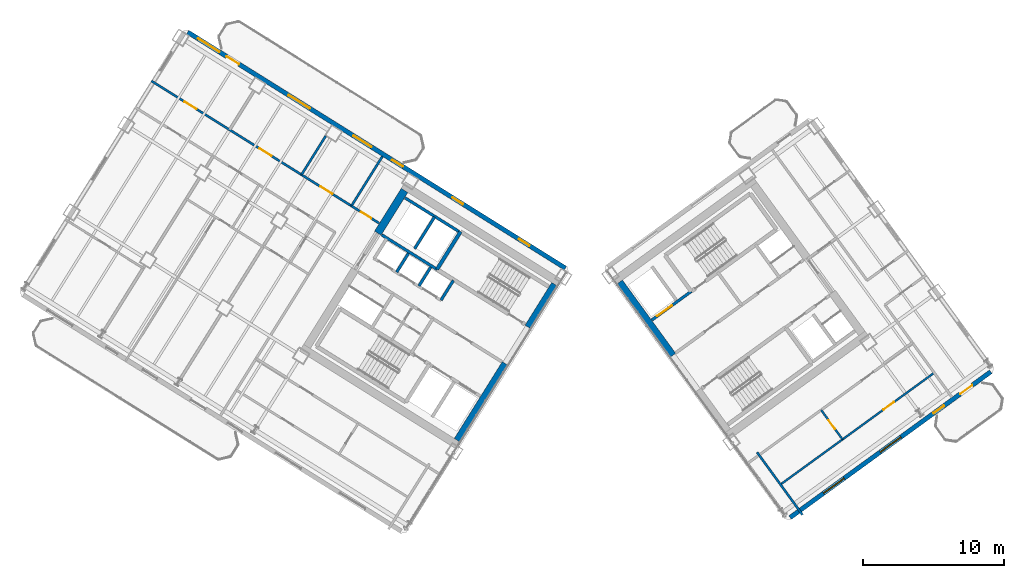
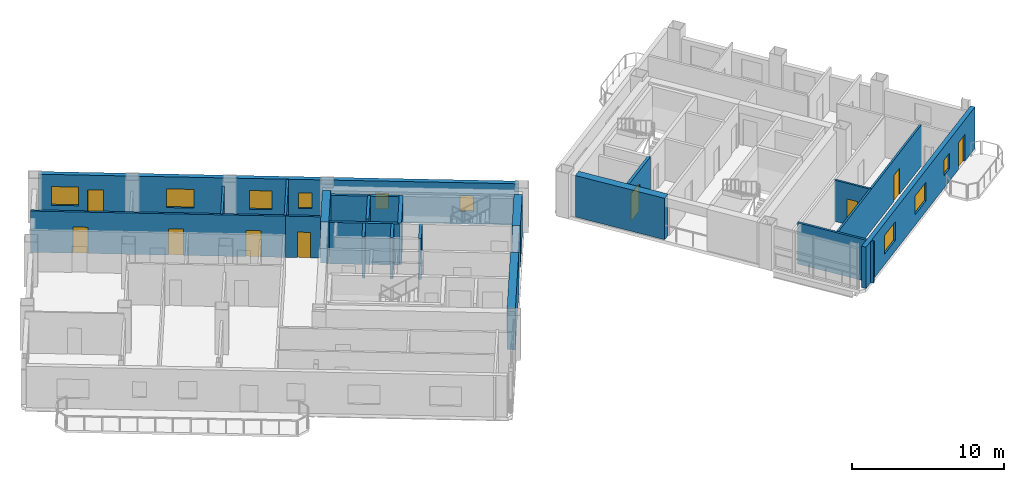
# One storey, part 12 of 18: 21 walls, 9 doors, 9 windows, 18 openings.
"""IFC4 building model written with IfcOpenShell, lengths in metres."""

from ifc_helpers import new_model, si_unit, direction, frame, frame_2d, origin, place, context, subcontext, project, spatial, rectangle, extrude, source, transform, mapped, material, layer, layer_set, type_object, element, fill, save


model = new_model("IFC4")

# Units and contexts
model_context = context("Model", 3, precision=1e-05, world=origin(), true_north=direction((0.0, 1.0)))
body_context = subcontext(model_context, "Body", "Model", "MODEL_VIEW")
ifc_project = project(units=[si_unit("LENGTHUNIT", "METRE"), si_unit("AREAUNIT", "SQUARE_METRE"), si_unit("VOLUMEUNIT", "CUBIC_METRE"), si_unit("PLANEANGLEUNIT", "RADIAN"), si_unit("MASSUNIT", "GRAM", prefix="KILO")], contexts=[model_context])

# Site, building, storey
site_placement = place(None, origin())
site = spatial("IfcSite", under=ifc_project, at=site_placement, CompositionType="ELEMENT")
building_placement = place(site_placement, origin())
building = spatial("IfcBuilding", under=site, at=building_placement, Name="Tlacorven Tower", CompositionType="ELEMENT")
storey_placement = place(building_placement, frame((0.0, 0.0, 132.60009765625)))
storey = spatial("IfcBuildingStorey", under=building, at=storey_placement, Name="L33", CompositionType="ELEMENT", Elevation=132.60009765625)

# Walls
ifc_material_1 = material(Name="Concrete C60/75", Category="concrete")
ifc_layer_1 = layer(ifc_material_1, 0.550048828125)
ifc_layer_set_1 = layer_set([ifc_layer_1], Name="Concrete C60/75")
wall_type_1 = type_object("IfcWallType", Name="WL-COR-550", PredefinedType="SHEAR", material=ifc_layer_set_1)
wall_1_placement = place(storey_placement, frame((40.194091796875, 23.92236328125, 0.0), z_axis=(0.0, 0.0, 1.0), x_axis=(-0.529888438328, -0.848067357541, 0.0)))
element("IfcWall", 1, at=wall_1_placement, inside=storey, type_object=wall_type_1, Name="L33 W core end wall E1.1", PredefinedType="SHEAR", context=body_context, shape_type="SweptSolid", body=[
    extrude(rectangle(XDim=3.574951171875, YDim=0.550048828125, at=frame_2d((1.78759765625, 0.0))), origin(), (0.0, 0.0, 1.0), 3.31982421875),
])
wall_2_placement = place(storey_placement, frame((36.683349609375, 18.30419921875, 0.0), z_axis=(0.0, 0.0, 1.0), x_axis=(-0.529896466841, -0.848062341122, 0.0)))
element("IfcWall", 2, at=wall_2_placement, inside=storey, type_object=wall_type_1, Name="L33 W core end wall E1.2", PredefinedType="SHEAR", context=body_context, shape_type="SweptSolid", body=[
    extrude(rectangle(XDim=6.4248046875, YDim=0.550048828125, at=frame_2d((3.21240234375, 0.0))), origin(), (0.0, 0.0, 1.0), 3.31982421875),
])
wall_3_placement = place(storey_placement, frame((29.517333984375, 30.59423828125, 0.0), z_axis=(0.0, 0.0, 1.0), x_axis=(-0.529906864564, -0.848055844204, 0.0)))
element("IfcWall", 3, at=wall_3_placement, inside=storey, type_object=wall_type_1, Name="L33 W core end wall E2.1", PredefinedType="SHEAR", context=body_context, shape_type="SweptSolid", body=[
    extrude(rectangle(XDim=3.5751953125, YDim=0.550048828125, at=frame_2d((1.78759765625, 0.0))), origin(), (0.0, 0.0, 1.0), 3.31982421875),
])
wall_4_placement = place(storey_placement, frame((48.525634765625, 18.883544921875, 0.0), z_axis=(0.0, 0.0, 1.0), x_axis=(-0.587764933797, 0.809031756236, 0.0)))
element("IfcWall", 4, at=wall_4_placement, inside=storey, type_object=wall_type_1, Name="L33 E core end wall E1.2", PredefinedType="SHEAR", context=body_context, shape_type="SweptSolid", body=[
    extrude(rectangle(XDim=6.425048828125, YDim=0.550048828125, at=frame_2d((3.21240234375, 0.0))), origin(), (0.0, 0.0, 1.0), 3.31982421875),
])

# Wall, opening, door
ifc_material_2 = material(Name="Gypsum plasterboard acoustic partition", Category="gypsum")
ifc_layer_2 = layer(ifc_material_2, 0.159912109375)
ifc_layer_set_2 = layer_set([ifc_layer_2], Name="Gypsum plasterboard acoustic partition")
wall_type_2 = type_object("IfcWallType", Name="WL-DEM-160", PredefinedType="PARTITIONING", material=ifc_layer_set_2)
wall_5_placement = place(storey_placement, frame((27.711181640625, 28.273681640625, 0.0), z_axis=(0.0, 0.0, 1.0), x_axis=(-0.848075553449, 0.529875320846, 0.0)))
wall_5 = element("IfcWall", 5, at=wall_5_placement, inside=storey, type_object=wall_type_2, Name="L33 partition 45", PredefinedType="PARTITIONING", context=body_context, shape_type="SweptSolid", body=[
    extrude(rectangle(XDim=2.307861328125, YDim=0.159912109375, at=frame_2d((1.15380859375, 0.0))), origin(), (0.0, 0.0, 1.0), 3.309814453125),
])
opening_1_placement = place(wall_5_placement, frame((0.64794921875, 0.0, 0.0)))
opening_1 = element("IfcOpeningElement", 6, at=opening_1_placement, cuts=wall_5, Name="Opening D19", PredefinedType="OPENING", context=body_context, shape_type="SweptSolid", body=[
    extrude(rectangle(XDim=0.860107421875, YDim=2.050048828125, at=frame_2d((0.43017578125, 1.02490234375))), frame((0.0, 0.08984375, 0.0), z_axis=(0.0, -1.0, 0.0), x_axis=(1.0, 0.0, 0.0)), (0.0, 0.0, 1.0), 0.179931640625),
])
ifc_material_3 = material(Name="Fire-rated steel door assembly", Category="steel")
door_type_1 = type_object("IfcDoorType", Name="DR-RSR-FD60-0860", OperationType="NOTDEFINED", PredefinedType="DOOR", material=ifc_material_3)
shared_shape_1 = source(origin(), body_context, "Body", "SweptSolid", [
    extrude(rectangle(XDim=0.860107421875, YDim=2.050048828125, at=frame_2d((0.43017578125, 1.02490234375))), frame((0.0, 0.02490234375, 0.0), z_axis=(0.0, -1.0, 0.0), x_axis=(1.0, 0.0, 0.0)), (0.0, 0.0, 1.0), 0.050048828125),
])
door_1_placement = place(opening_1_placement, frame((0.860107421875, 0.0, 0.0), z_axis=(0.0, 0.0, 1.0), x_axis=(-1.0, 0.0, 0.0)))
door_1 = element("IfcDoor", 7, at=door_1_placement, inside=storey, type_object=door_type_1, Name="L33 door 022", OperationType="SINGLE_SWING_LEFT", OverallHeight=2.050048828125, OverallWidth=0.860107421875, PredefinedType="DOOR", context=body_context, shape_type="MappedRepresentation", body=[
    mapped(shared_shape_1, transform((0.0, 0.0, 0.0), scale=1.0)),
])
fill(opening_1, door_1)

# Wall
wall_6_placement = place(storey_placement, frame((27.952880859375, 33.01611328125, 0.0), z_axis=(0.0, 0.0, 1.0), x_axis=(-0.529872022255, -0.848077614391, 0.0)))
element("IfcWall", 8, at=wall_6_placement, inside=storey, type_object=wall_type_2, Name="L33 partition 47", PredefinedType="PARTITIONING", context=body_context, shape_type="SweptSolid", body=[
    extrude(rectangle(XDim=4.14990234375, YDim=0.159912109375, at=frame_2d((2.074951171875, 0.0))), origin(), (0.0, 0.0, 1.0), 3.309814453125),
])

# Wall, openings, doors
wall_7_placement = place(storey_placement, frame((25.75390625, 29.49658203125, 0.0), z_axis=(0.0, 0.0, 1.0), x_axis=(-0.848045850158, 0.529922858565, 0.0)))
wall_7 = element("IfcWall", 9, at=wall_7_placement, inside=storey, type_object=wall_type_2, Name="L33 Wing W Corridor South Wall", PredefinedType="PARTITIONING", context=body_context, shape_type="SweptSolid", body=[
    extrude(rectangle(XDim=16.730224609375, YDim=0.159912109375, at=frame_2d((8.365234375, 0.0))), origin(), (0.0, 0.0, 1.0), 3.309814453125),
])
opening_2_placement = place(wall_7_placement, frame((1.58837890625, 0.0, 0.0)))
opening_2 = element("IfcOpeningElement", 10, at=opening_2_placement, cuts=wall_7, Name="Opening D11", PredefinedType="OPENING", context=body_context, shape_type="SweptSolid", body=[
    extrude(rectangle(XDim=1.0, YDim=2.10009765625, at=frame_2d((0.5, 1.050048828125))), frame((0.0, 0.08984375, 0.0), z_axis=(0.0, -1.0, 0.0), x_axis=(1.0, 0.0, 0.0)), (0.0, 0.0, 1.0), 0.179931640625),
])
opening_3_placement = place(wall_7_placement, frame((6.68505859375, 0.0, 0.0)))
opening_3 = element("IfcOpeningElement", 11, at=opening_3_placement, cuts=wall_7, Name="Opening D11", PredefinedType="OPENING", context=body_context, shape_type="SweptSolid", body=[
    extrude(rectangle(XDim=1.0, YDim=2.10009765625, at=frame_2d((0.5, 1.050048828125))), frame((0.0, 0.08984375, 0.0), z_axis=(0.0, -1.0, 0.0), x_axis=(1.0, 0.0, 0.0)), (0.0, 0.0, 1.0), 0.179931640625),
])
opening_4_placement = place(wall_7_placement, frame((12.951416015625, 0.0, 0.0)))
opening_4 = element("IfcOpeningElement", 12, at=opening_4_placement, cuts=wall_7, Name="Opening D11", PredefinedType="OPENING", context=body_context, shape_type="SweptSolid", body=[
    extrude(rectangle(XDim=1.0, YDim=2.10009765625, at=frame_2d((0.5, 1.050048828125))), frame((0.0, 0.08984375, 0.0), z_axis=(0.0, -1.0, 0.0), x_axis=(1.0, 0.0, 0.0)), (0.0, 0.0, 1.0), 0.179931640625),
])
door_type_2 = type_object("IfcDoorType", Name="DR-FLT-FD60-1000", OperationType="NOTDEFINED", PredefinedType="DOOR", material=ifc_material_3)
shared_shape_2 = source(origin(), body_context, "Body", "SweptSolid", [
    extrude(rectangle(XDim=1.0, YDim=2.10009765625, at=frame_2d((0.5, 1.050048828125))), frame((0.0, 0.02490234375, 0.0), z_axis=(0.0, -1.0, 0.0), x_axis=(1.0, 0.0, 0.0)), (0.0, 0.0, 1.0), 0.050048828125),
])
door_2_placement = place(opening_2_placement, frame((1.0, 0.0, 0.0), z_axis=(0.0, 0.0, 1.0), x_axis=(-1.0, 0.0, 0.0)))
door_2 = element("IfcDoor", 13, at=door_2_placement, inside=storey, type_object=door_type_2, Name="L33 door 033", OperationType="SINGLE_SWING_LEFT", OverallHeight=2.10009765625, OverallWidth=1.0, PredefinedType="DOOR", context=body_context, shape_type="MappedRepresentation", body=[
    mapped(shared_shape_2, transform((0.0, 0.0, 0.0), scale=1.0)),
])
fill(opening_2, door_2)
door_3_placement = place(opening_3_placement, frame((1.0, 0.0, 0.0), z_axis=(0.0, 0.0, 1.0), x_axis=(-1.0, 0.0, 0.0)))
door_3 = element("IfcDoor", 14, at=door_3_placement, inside=storey, type_object=door_type_2, Name="L33 door 034", OperationType="SINGLE_SWING_RIGHT", OverallHeight=2.10009765625, OverallWidth=1.0, PredefinedType="DOOR", context=body_context, shape_type="MappedRepresentation", body=[
    mapped(shared_shape_2, transform((0.0, 0.0, 0.0), scale=1.0)),
])
fill(opening_3, door_3)
door_4_placement = place(opening_4_placement, frame((1.0, 0.0, 0.0), z_axis=(0.0, 0.0, 1.0), x_axis=(-1.0, 0.0, 0.0)))
door_4 = element("IfcDoor", 15, at=door_4_placement, inside=storey, type_object=door_type_2, Name="L33 door 035", OperationType="SINGLE_SWING_LEFT", OverallHeight=2.10009765625, OverallWidth=1.0, PredefinedType="DOOR", context=body_context, shape_type="MappedRepresentation", body=[
    mapped(shared_shape_2, transform((0.0, 0.0, 0.0), scale=1.0)),
])
fill(opening_4, door_4)

# Walls
wall_8_placement = place(storey_placement, frame((23.927490234375, 34.4560546875, 0.0), z_axis=(0.0, 0.0, 1.0), x_axis=(-0.529978607573, -0.848011011435, 0.0)))
element("IfcWall", 16, at=wall_8_placement, inside=storey, type_object=wall_type_2, Name="L33 partition 60", PredefinedType="PARTITIONING", context=body_context, shape_type="SweptSolid", body=[
    extrude(rectangle(XDim=3.238037109375, YDim=0.159912109375, at=frame_2d((1.619140625, 0.0))), origin(), (0.0, 0.0, 1.0), 3.309814453125),
])
wall_9_placement = place(storey_placement, frame((57.747314453125, 7.586181640625, 0.0), z_axis=(0.0, 0.0, 1.0), x_axis=(-0.587784893399, 0.809017255126, 0.0)))
element("IfcWall", 17, at=wall_9_placement, inside=storey, type_object=wall_type_2, Name="L33 EC West Throat Wall", PredefinedType="PARTITIONING", context=body_context, shape_type="SweptSolid", body=[
    extrude(rectangle(XDim=5.480224609375, YDim=0.159912109375, at=frame_2d((2.740234375, 0.0))), origin(), (0.0, 0.0, 1.0), 3.309814453125),
])

# Wall, openings, door, windows
ifc_material_4 = material(Name="Precast concrete C45/55", Category="concrete")
ifc_layer_3 = layer(ifc_material_4, 0.320068359375)
ifc_layer_set_3 = layer_set([ifc_layer_3], Name="Precast concrete C45/55")
wall_type_3 = type_object("IfcWallType", Name="WL-EXT-320", PredefinedType="STANDARD", material=ifc_layer_set_3)
wall_10_placement = place(storey_placement, frame((14.13818359375, 41.825439453125, 0.0), z_axis=(0.0, 0.0, 1.0), x_axis=(0.848046498049, -0.529921821731, 0.0)))
wall_10 = element("IfcWall", 18, at=wall_10_placement, inside=storey, type_object=wall_type_3, Name="L33 Masonry-Frame Recessed Facade Wall 3", PredefinedType="STANDARD", context=body_context, shape_type="SweptSolid", body=[
    extrude(rectangle(XDim=31.587646484375, YDim=0.320068359375, at=frame_2d((15.7939453125, 0.0))), origin(), (0.0, 0.0, 1.0), 3.31982421875),
])
opening_5_placement = place(wall_10_placement, frame((3.2529296875, 0.0, 0.0)))
opening_5 = element("IfcOpeningElement", 19, at=opening_5_placement, cuts=wall_10, Name="Opening D06", PredefinedType="OPENING", context=body_context, shape_type="SweptSolid", body=[
    extrude(rectangle(XDim=1.050048828125, YDim=2.14990234375, at=frame_2d((0.52490234375, 1.074951171875))), frame((0.0, 0.169921875, 0.0), z_axis=(0.0, -1.0, 0.0), x_axis=(1.0, 0.0, 0.0)), (0.0, 0.0, 1.0), 0.340087890625),
])
opening_6_placement = place(wall_10_placement, frame((0.86328125, 0.0, 0.85009765625)))
opening_6 = element("IfcOpeningElement", 20, at=opening_6_placement, cuts=wall_10, Name="Opening WN01", PredefinedType="OPENING", context=body_context, shape_type="SweptSolid", body=[
    extrude(rectangle(XDim=1.800048828125, YDim=1.5, at=frame_2d((0.89990234375, 0.75))), frame((0.0, 0.169921875, 0.0), z_axis=(0.0, -1.0, 0.0), x_axis=(1.0, 0.0, 0.0)), (0.0, 0.0, 1.0), 0.340087890625),
])
opening_7_placement = place(wall_10_placement, frame((8.435302734375, 0.0, 0.85009765625)))
opening_7 = element("IfcOpeningElement", 21, at=opening_7_placement, cuts=wall_10, Name="Opening WN01", PredefinedType="OPENING", context=body_context, shape_type="SweptSolid", body=[
    extrude(rectangle(XDim=1.800048828125, YDim=1.5, at=frame_2d((0.89990234375, 0.75))), frame((0.0, 0.169921875, 0.0), z_axis=(0.0, -1.0, 0.0), x_axis=(1.0, 0.0, 0.0)), (0.0, 0.0, 1.0), 0.340087890625),
])
opening_8_placement = place(wall_10_placement, frame((13.873779296875, 0.0, 0.85009765625)))
opening_8 = element("IfcOpeningElement", 22, at=opening_8_placement, cuts=wall_10, Name="Opening WN02", PredefinedType="OPENING", context=body_context, shape_type="SweptSolid", body=[
    extrude(rectangle(XDim=1.5, YDim=1.5, at=frame_2d((0.75, 0.75))), frame((0.0, 0.169921875, 0.0), z_axis=(0.0, -1.0, 0.0), x_axis=(1.0, 0.0, 0.0)), (0.0, 0.0, 1.0), 0.340087890625),
])
opening_9_placement = place(wall_10_placement, frame((17.103759765625, 0.0, 1.0)))
opening_9 = element("IfcOpeningElement", 23, at=opening_9_placement, cuts=wall_10, Name="Opening WN05", PredefinedType="OPENING", context=body_context, shape_type="SweptSolid", body=[
    extrude(rectangle(XDim=0.89990234375, YDim=1.25, at=frame_2d((0.449951171875, 0.625))), frame((0.0, 0.169921875, 0.0), z_axis=(0.0, -1.0, 0.0), x_axis=(1.0, 0.0, 0.0)), (0.0, 0.0, 1.0), 0.340087890625),
])
opening_10_placement = place(wall_10_placement, frame((22.131103515625, 0.0, 1.0)))
opening_10 = element("IfcOpeningElement", 24, at=opening_10_placement, cuts=wall_10, Name="Opening WN05", PredefinedType="OPENING", context=body_context, shape_type="SweptSolid", body=[
    extrude(rectangle(XDim=0.89990234375, YDim=1.25, at=frame_2d((0.449951171875, 0.625))), frame((0.0, 0.169921875, 0.0), z_axis=(0.0, -1.0, 0.0), x_axis=(1.0, 0.0, 0.0)), (0.0, 0.0, 1.0), 0.340087890625),
])
opening_11_placement = place(wall_10_placement, frame((27.70556640625, 0.0, 1.0)))
opening_11 = element("IfcOpeningElement", 25, at=opening_11_placement, cuts=wall_10, Name="Opening WN05", PredefinedType="OPENING", context=body_context, shape_type="SweptSolid", body=[
    extrude(rectangle(XDim=0.89990234375, YDim=1.25, at=frame_2d((0.449951171875, 0.625))), frame((0.0, 0.169921875, 0.0), z_axis=(0.0, -1.0, 0.0), x_axis=(1.0, 0.0, 0.0)), (0.0, 0.0, 1.0), 0.340087890625),
])
ifc_material_5 = material(Name="Powder-coated aluminium and timber door", Category="wood")
door_type_3 = type_object("IfcDoorType", Name="DR-EXT-BALC-1050", OperationType="NOTDEFINED", PredefinedType="DOOR", material=ifc_material_5)
shared_shape_3 = source(origin(), body_context, "Body", "SweptSolid", [
    extrude(rectangle(XDim=1.050048828125, YDim=2.14990234375, at=frame_2d((0.52490234375, 1.074951171875))), frame((0.0, 0.02490234375, 0.0), z_axis=(0.0, -1.0, 0.0), x_axis=(1.0, 0.0, 0.0)), (0.0, 0.0, 1.0), 0.050048828125),
])
door_5_placement = place(opening_5_placement, origin())
door_5 = element("IfcDoor", 26, at=door_5_placement, inside=storey, type_object=door_type_3, Name="L33 Outdoor Access Door BAL-L33-W-IN", OperationType="SINGLE_SWING_RIGHT", OverallHeight=2.14990234375, OverallWidth=1.050048828125, PredefinedType="DOOR", context=body_context, shape_type="MappedRepresentation", body=[
    mapped(shared_shape_3, transform((0.0, 0.0, 0.0), scale=1.0)),
])
fill(opening_5, door_5)
ifc_material_6 = material(Name="Dark solar low-E double glazing in anodised aluminium frame", Category="aluminium")
window_type_1 = type_object("IfcWindowType", Name="WN-APT-1800X1650", PartitioningType="SINGLE_PANEL", PredefinedType="WINDOW", material=ifc_material_6)
shared_shape_4 = source(origin(), body_context, "Body", "SweptSolid", [
    extrude(rectangle(XDim=1.800048828125, YDim=1.5, at=frame_2d((0.89990234375, 0.75))), frame((0.0, 0.030029296875, 0.0), z_axis=(0.0, -1.0, 0.0), x_axis=(1.0, 0.0, 0.0)), (0.0, 0.0, 1.0), 0.06005859375),
])
window_1_placement = place(opening_6_placement, origin())
window_1 = element("IfcWindow", 27, at=window_1_placement, inside=storey, type_object=window_type_1, Name="L33 Recessed Masonry-Frame Window L33-03.1", OverallHeight=1.5, OverallWidth=1.800048828125, PartitioningType="SINGLE_PANEL", PredefinedType="WINDOW", context=body_context, shape_type="MappedRepresentation", body=[
    mapped(shared_shape_4, transform((0.0, 0.0, 0.0), scale=1.0)),
])
fill(opening_6, window_1)
window_2_placement = place(opening_7_placement, origin())
window_2 = element("IfcWindow", 28, at=window_2_placement, inside=storey, type_object=window_type_1, Name="L33 Recessed Masonry-Frame Window L33-03.2", OverallHeight=1.5, OverallWidth=1.800048828125, PartitioningType="SINGLE_PANEL", PredefinedType="WINDOW", context=body_context, shape_type="MappedRepresentation", body=[
    mapped(shared_shape_4, transform((0.0, 0.0, 0.0), scale=1.0)),
])
fill(opening_7, window_2)
window_type_2 = type_object("IfcWindowType", Name="WN-APT-1500X1650", PartitioningType="SINGLE_PANEL", PredefinedType="WINDOW", material=ifc_material_6)
shared_shape_5 = source(origin(), body_context, "Body", "SweptSolid", [
    extrude(rectangle(XDim=1.5, YDim=1.5, at=frame_2d((0.75, 0.75))), frame((0.0, 0.030029296875, 0.0), z_axis=(0.0, -1.0, 0.0), x_axis=(1.0, 0.0, 0.0)), (0.0, 0.0, 1.0), 0.06005859375),
])
window_3_placement = place(opening_8_placement, origin())
window_3 = element("IfcWindow", 29, at=window_3_placement, inside=storey, type_object=window_type_2, Name="L33 Recessed Masonry-Frame Window L33-03.3", OverallHeight=1.5, OverallWidth=1.5, PartitioningType="SINGLE_PANEL", PredefinedType="WINDOW", context=body_context, shape_type="MappedRepresentation", body=[
    mapped(shared_shape_5, transform((0.0, 0.0, 0.0), scale=1.0)),
])
fill(opening_8, window_3)
window_type_3 = type_object("IfcWindowType", Name="WN-APT-0900X1350", PartitioningType="SINGLE_PANEL", PredefinedType="WINDOW", material=ifc_material_6)
shared_shape_6 = source(origin(), body_context, "Body", "SweptSolid", [
    extrude(rectangle(XDim=0.89990234375, YDim=1.25, at=frame_2d((0.449951171875, 0.625))), frame((0.0, 0.030029296875, 0.0), z_axis=(0.0, -1.0, 0.0), x_axis=(1.0, 0.0, 0.0)), (0.0, 0.0, 1.0), 0.06005859375),
])
window_4_placement = place(opening_9_placement, origin())
window_4 = element("IfcWindow", 30, at=window_4_placement, inside=storey, type_object=window_type_3, Name="L33 Recessed Masonry-Frame Window L33-03.4", OverallHeight=1.25, OverallWidth=0.89990234375, PartitioningType="SINGLE_PANEL", PredefinedType="WINDOW", context=body_context, shape_type="MappedRepresentation", body=[
    mapped(shared_shape_6, transform((0.0, 0.0, 0.0), scale=1.0)),
])
fill(opening_9, window_4)
window_5_placement = place(opening_10_placement, origin())
window_5 = element("IfcWindow", 31, at=window_5_placement, inside=storey, type_object=window_type_3, Name="L33 Recessed Masonry-Frame Window L33-03.5", OverallHeight=1.25, OverallWidth=0.89990234375, PartitioningType="SINGLE_PANEL", PredefinedType="WINDOW", context=body_context, shape_type="MappedRepresentation", body=[
    mapped(shared_shape_6, transform((0.0, 0.0, 0.0), scale=1.0)),
])
fill(opening_10, window_5)
window_6_placement = place(opening_11_placement, origin())
window_6 = element("IfcWindow", 32, at=window_6_placement, inside=storey, type_object=window_type_3, Name="L33 Recessed Masonry-Frame Window L33-03.6", OverallHeight=1.25, OverallWidth=0.89990234375, PartitioningType="SINGLE_PANEL", PredefinedType="WINDOW", context=body_context, shape_type="MappedRepresentation", body=[
    mapped(shared_shape_6, transform((0.0, 0.0, 0.0), scale=1.0)),
])
fill(opening_11, window_6)

wall_11_placement = place(storey_placement, frame((71.097900390625, 17.73095703125, 0.0), z_axis=(0.0, 0.0, 1.0), x_axis=(-0.809021120468, -0.587779573171, 0.0)))
wall_11 = element("IfcWall", 33, at=wall_11_placement, inside=storey, type_object=wall_type_3, Name="L33 Masonry-Frame Recessed Facade Wall 6", PredefinedType="STANDARD", context=body_context, shape_type="SweptSolid", body=[
    extrude(rectangle(XDim=17.587646484375, YDim=0.320068359375, at=frame_2d((8.7939453125, 0.0))), origin(), (0.0, 0.0, 1.0), 3.31982421875),
])
opening_12_placement = place(wall_11_placement, frame((1.623779296875, 0.0, 0.0)))
opening_12 = element("IfcOpeningElement", 34, at=opening_12_placement, cuts=wall_11, Name="Opening D06", PredefinedType="OPENING", context=body_context, shape_type="SweptSolid", body=[
    extrude(rectangle(XDim=1.050048828125, YDim=2.14990234375, at=frame_2d((0.52490234375, 1.074951171875))), frame((0.0, 0.169921875, 0.0), z_axis=(0.0, -1.0, 0.0), x_axis=(1.0, 0.0, 0.0)), (0.0, 0.0, 1.0), 0.340087890625),
])
opening_13_placement = place(wall_11_placement, frame((4.103759765625, 0.0, 1.0)))
opening_13 = element("IfcOpeningElement", 35, at=opening_13_placement, cuts=wall_11, Name="Opening WN05", PredefinedType="OPENING", context=body_context, shape_type="SweptSolid", body=[
    extrude(rectangle(XDim=0.89990234375, YDim=1.25, at=frame_2d((0.449951171875, 0.625))), frame((0.0, 0.169921875, 0.0), z_axis=(0.0, -1.0, 0.0), x_axis=(1.0, 0.0, 0.0)), (0.0, 0.0, 1.0), 0.340087890625),
])
opening_14_placement = place(wall_11_placement, frame((7.878662109375, 0.0, 0.85009765625)))
opening_14 = element("IfcOpeningElement", 36, at=opening_14_placement, cuts=wall_11, Name="Opening WN01", PredefinedType="OPENING", context=body_context, shape_type="SweptSolid", body=[
    extrude(rectangle(XDim=1.800048828125, YDim=1.5, at=frame_2d((0.89990234375, 0.75))), frame((0.0, 0.169921875, 0.0), z_axis=(0.0, -1.0, 0.0), x_axis=(1.0, 0.0, 0.0)), (0.0, 0.0, 1.0), 0.340087890625),
])
opening_15_placement = place(wall_11_placement, frame((12.8486328125, 0.0, 0.85009765625)))
opening_15 = element("IfcOpeningElement", 37, at=opening_15_placement, cuts=wall_11, Name="Opening WN01", PredefinedType="OPENING", context=body_context, shape_type="SweptSolid", body=[
    extrude(rectangle(XDim=1.800048828125, YDim=1.5, at=frame_2d((0.89990234375, 0.75))), frame((0.0, 0.169921875, 0.0), z_axis=(0.0, -1.0, 0.0), x_axis=(1.0, 0.0, 0.0)), (0.0, 0.0, 1.0), 0.340087890625),
])
door_6_placement = place(opening_12_placement, origin())
door_6 = element("IfcDoor", 38, at=door_6_placement, inside=storey, type_object=door_type_3, Name="L33 Outdoor Access Door BAL-L33-E-OUT", OperationType="SINGLE_SWING_LEFT", OverallHeight=2.14990234375, OverallWidth=1.050048828125, PredefinedType="DOOR", context=body_context, shape_type="MappedRepresentation", body=[
    mapped(shared_shape_3, transform((0.0, 0.0, 0.0), scale=1.0)),
])
fill(opening_12, door_6)
window_7_placement = place(opening_14_placement, origin())
window_7 = element("IfcWindow", 39, at=window_7_placement, inside=storey, type_object=window_type_1, Name="L33 Recessed Masonry-Frame Window L33-06.2", OverallHeight=1.5, OverallWidth=1.800048828125, PartitioningType="SINGLE_PANEL", PredefinedType="WINDOW", context=body_context, shape_type="MappedRepresentation", body=[
    mapped(shared_shape_4, transform((0.0, 0.0, 0.0), scale=1.0)),
])
fill(opening_14, window_7)
window_8_placement = place(opening_15_placement, origin())
window_8 = element("IfcWindow", 40, at=window_8_placement, inside=storey, type_object=window_type_1, Name="L33 Recessed Masonry-Frame Window L33-06.3", OverallHeight=1.5, OverallWidth=1.800048828125, PartitioningType="SINGLE_PANEL", PredefinedType="WINDOW", context=body_context, shape_type="MappedRepresentation", body=[
    mapped(shared_shape_4, transform((0.0, 0.0, 0.0), scale=1.0)),
])
fill(opening_15, window_8)
window_9_placement = place(opening_13_placement, origin())
window_9 = element("IfcWindow", 41, at=window_9_placement, inside=storey, type_object=window_type_3, Name="L33 Recessed Masonry-Frame Window L33-06.1", OverallHeight=1.25, OverallWidth=0.89990234375, PartitioningType="SINGLE_PANEL", PredefinedType="WINDOW", context=body_context, shape_type="MappedRepresentation", body=[
    mapped(shared_shape_6, transform((0.0, 0.0, 0.0), scale=1.0)),
])
fill(opening_13, window_9)

# Wall, opening, door
ifc_material_7 = material(Name="Moisture-resistant gypsum plumbing wall", Category="gypsum")
ifc_layer_4 = layer(ifc_material_7, 0.139892578125)
ifc_layer_set_4 = layer_set([ifc_layer_4], Name="Moisture-resistant gypsum plumbing wall")
wall_type_4 = type_object("IfcWallType", Name="WL-PLM-140", PredefinedType="PLUMBINGWALL", material=ifc_layer_set_4)
wall_12_placement = place(storey_placement, frame((56.24853515625, 9.78515625, 0.0), z_axis=(0.0, 0.0, 1.0), x_axis=(0.809011747655, 0.587792473715, 0.0)))
wall_12 = element("IfcWall", 42, at=wall_12_placement, inside=storey, type_object=wall_type_4, Name="L33 partition 77", PredefinedType="PLUMBINGWALL", context=body_context, shape_type="SweptSolid", body=[
    extrude(rectangle(XDim=13.400146484375, YDim=0.139892578125, at=frame_2d((6.7001953125, 0.0))), origin(), (0.0, 0.0, 1.0), 3.309814453125),
])
opening_16_placement = place(wall_12_placement, frame((8.93994140625, 0.0, 0.0)))
opening_16 = element("IfcOpeningElement", 43, at=opening_16_placement, cuts=wall_12, Name="Opening D12", PredefinedType="OPENING", context=body_context, shape_type="SweptSolid", body=[
    extrude(rectangle(XDim=0.919921875, YDim=2.080078125, at=frame_2d((0.4599609375, 1.0400390625))), frame((0.0, 0.080078125, 0.0), z_axis=(0.0, -1.0, 0.0), x_axis=(1.0, 0.0, 0.0)), (0.0, 0.0, 1.0), 0.159912109375),
])
door_type_4 = type_object("IfcDoorType", Name="DR-INT-ROOM-0920", OperationType="NOTDEFINED", PredefinedType="DOOR", material=ifc_material_5)
shared_shape_7 = source(origin(), body_context, "Body", "SweptSolid", [
    extrude(rectangle(XDim=0.919921875, YDim=2.080078125, at=frame_2d((0.4599609375, 1.0400390625))), frame((0.0, 0.02490234375, 0.0), z_axis=(0.0, -1.0, 0.0), x_axis=(1.0, 0.0, 0.0)), (0.0, 0.0, 1.0), 0.050048828125),
])
door_7_placement = place(opening_16_placement, origin())
door_7 = element("IfcDoor", 44, at=door_7_placement, inside=storey, type_object=door_type_4, Name="L33 door 045", OperationType="SINGLE_SWING_LEFT", OverallHeight=2.080078125, OverallWidth=0.919921875, PredefinedType="DOOR", context=body_context, shape_type="MappedRepresentation", body=[
    mapped(shared_shape_7, transform((0.0, 0.0, 0.0), scale=1.0)),
])
fill(opening_16, door_7)

wall_13_placement = place(storey_placement, frame((60.584716796875, 12.935791015625, 0.0), z_axis=(0.0, 0.0, 1.0), x_axis=(-0.587772116736, 0.809026537752, 0.0)))
wall_13 = element("IfcWall", 45, at=wall_13_placement, inside=storey, type_object=wall_type_4, Name="L33 partition 78", PredefinedType="PLUMBINGWALL", context=body_context, shape_type="SweptSolid", body=[
    extrude(rectangle(XDim=2.579833984375, YDim=0.139892578125, at=frame_2d((1.2900390625, 0.0))), origin(), (0.0, 0.0, 1.0), 3.309814453125),
])
opening_17_placement = place(wall_13_placement, frame((0.89990234375, 0.0, 0.0)))
opening_17 = element("IfcOpeningElement", 46, at=opening_17_placement, cuts=wall_13, Name="Opening D22", PredefinedType="OPENING", context=body_context, shape_type="SweptSolid", body=[
    extrude(rectangle(XDim=0.780029296875, YDim=2.050048828125, at=frame_2d((0.39013671875, 1.02490234375))), frame((0.0, 0.080078125, 0.0), z_axis=(0.0, -1.0, 0.0), x_axis=(1.0, 0.0, 0.0)), (0.0, 0.0, 1.0), 0.159912109375),
])
door_type_5 = type_object("IfcDoorType", Name="DR-INT-WET-0780", OperationType="NOTDEFINED", PredefinedType="DOOR", material=ifc_material_5)
shared_shape_8 = source(origin(), body_context, "Body", "SweptSolid", [
    extrude(rectangle(XDim=0.780029296875, YDim=2.050048828125, at=frame_2d((0.39013671875, 1.02490234375))), frame((0.0, 0.02490234375, 0.0), z_axis=(0.0, -1.0, 0.0), x_axis=(1.0, 0.0, 0.0)), (0.0, 0.0, 1.0), 0.050048828125),
])
door_8_placement = place(opening_17_placement, origin())
door_8 = element("IfcDoor", 47, at=door_8_placement, inside=storey, type_object=door_type_5, Name="L33 door 046", OperationType="SINGLE_SWING_RIGHT", OverallHeight=2.050048828125, OverallWidth=0.780029296875, PredefinedType="DOOR", context=body_context, shape_type="MappedRepresentation", body=[
    mapped(shared_shape_8, transform((0.0, 0.0, 0.0), scale=1.0)),
])
fill(opening_17, door_8)

# Walls
ifc_material_8 = material(Name="Concrete C40/50", Category="concrete")
ifc_layer_5 = layer(ifc_material_8, 0.199951171875)
ifc_layer_set_5 = layer_set([ifc_layer_5], Name="Concrete C40/50")
wall_type_5 = type_object("IfcWallType", Name="WL-SHF-200", PredefinedType="STANDARD", material=ifc_layer_set_5)
wall_14_placement = place(storey_placement, frame((31.82177734375, 24.99755859375, 0.0), z_axis=(0.0, 0.0, 1.0), x_axis=(-0.848036912365, 0.52993716162, 0.0)))
element("IfcWall", 48, at=wall_14_placement, inside=storey, type_object=wall_type_5, Name="L33 Core W South Lift Shaft Wall", PredefinedType="STANDARD", context=body_context, shape_type="SweptSolid", body=[
    extrude(rectangle(XDim=4.617919921875, YDim=0.199951171875, at=frame_2d((2.30908203125, 0.0))), origin(), (0.0, 0.0, 1.0), 3.309814453125),
])
wall_15_placement = place(storey_placement, frame((32.982421875, 24.21337890625, 0.0), z_axis=(0.0, 0.0, 1.0), x_axis=(-0.529839334948, -0.84809803628, 0.0)))
element("IfcWall", 49, at=wall_15_placement, inside=storey, type_object=wall_type_5, Name="L33 partition 12", PredefinedType="STANDARD", context=body_context, shape_type="SweptSolid", body=[
    extrude(rectangle(XDim=1.650146484375, YDim=0.199951171875, at=frame_2d((0.8251953125, 0.0))), origin(), (0.0, 0.0, 1.0), 3.309814453125),
])
wall_16_placement = place(storey_placement, frame((31.645263671875, 28.716064453125, 0.0), z_axis=(0.0, 0.0, 1.0), x_axis=(-0.52986693015, -0.848080795876, 0.0)))
element("IfcWall", 50, at=wall_16_placement, inside=storey, type_object=wall_type_5, Name="L33 partition 15", PredefinedType="STANDARD", context=body_context, shape_type="SweptSolid", body=[
    extrude(rectangle(XDim=2.659912109375, YDim=0.199951171875, at=frame_2d((1.330078125, 0.0))), origin(), (0.0, 0.0, 1.0), 3.309814453125),
])
wall_17_placement = place(storey_placement, frame((33.362548828125, 27.690185546875, 0.0), z_axis=(0.0, 0.0, 1.0), x_axis=(-0.848047090064, 0.529920874315, 0.0)))
element("IfcWall", 51, at=wall_17_placement, inside=storey, type_object=wall_type_5, Name="L33 partition 17", PredefinedType="STANDARD", context=body_context, shape_type="SweptSolid", body=[
    extrude(rectangle(XDim=4.498046875, YDim=0.199951171875, at=frame_2d((2.2490234375, 0.0))), origin(), (0.0, 0.0, 1.0), 3.309814453125),
])
for number, where, z_axis, x_axis, name in (
    (52, (31.378662109375, 25.156494140625, 0.0), (0.0, 0.0, 1.0), (-0.529998940003, -0.847998304005, 0.0), "L33 partition 18"),
    (53, (29.80126953125, 26.14208984375, 0.0), (0.0, 0.0, 1.0), (-0.529998940003, -0.847998304005, 0.0), "L33 partition 19"),
):
    element("IfcWall", number, at=place(storey_placement, frame(where, z_axis=z_axis, x_axis=x_axis)), inside=storey, type_object=wall_type_5, Name=name, PredefinedType="STANDARD", context=body_context, shape_type="SweptSolid", body=[
        extrude(rectangle(XDim=1.580078125, YDim=0.199951171875, at=frame_2d((0.7900390625, 0.0))), origin(), (0.0, 0.0, 1.0), 3.309814453125),
    ])

# Wall, opening, door
wall_18_placement = place(storey_placement, frame((47.0654296875, 21.4072265625, 0.0), z_axis=(0.0, 0.0, 1.0), x_axis=(0.809032984992, 0.587763242466, 0.0)))
wall_18 = element("IfcWall", 54, at=wall_18_placement, inside=storey, type_object=wall_type_5, Name="L33 Core E Firefighting Lift Shaft Front Wall", PredefinedType="STANDARD", context=body_context, shape_type="SweptSolid", body=[
    extrude(rectangle(XDim=3.447998046875, YDim=0.199951171875, at=frame_2d((1.72412109375, 0.0))), origin(), (0.0, 0.0, 1.0), 3.309814453125),
])
opening_18_placement = place(wall_18_placement, frame((0.4580078125, 0.0, 0.0)))
opening_18 = element("IfcOpeningElement", 55, at=opening_18_placement, cuts=wall_18, Name="Opening LD03", PredefinedType="OPENING", context=body_context, shape_type="SweptSolid", body=[
    extrude(rectangle(XDim=1.300048828125, YDim=2.199951171875, at=frame_2d((0.64990234375, 1.10009765625))), frame((0.0, 0.10986328125, 0.0), z_axis=(0.0, -1.0, 0.0), x_axis=(1.0, 0.0, 0.0)), (0.0, 0.0, 1.0), 0.219970703125),
])
door_type_6 = type_object("IfcDoorType", Name="DR-LFT-SLID-1300", OperationType="DOUBLE_DOOR_SLIDING", PredefinedType="DOOR", material=ifc_material_3)
shared_shape_9 = source(origin(), body_context, "Body", "SweptSolid", [
    extrude(rectangle(XDim=1.300048828125, YDim=2.199951171875, at=frame_2d((0.64990234375, 1.10009765625))), frame((0.0, 0.02490234375, 0.0), z_axis=(0.0, -1.0, 0.0), x_axis=(1.0, 0.0, 0.0)), (0.0, 0.0, 1.0), 0.050048828125),
])
door_9_placement = place(opening_18_placement, origin())
door_9 = element("IfcDoor", 56, at=door_9_placement, inside=storey, type_object=door_type_6, Name="L33 Lift FFL-E1 Sliding Landing Door", OperationType="DOUBLE_DOOR_SLIDING", OverallHeight=2.199951171875, OverallWidth=1.300048828125, PredefinedType="DOOR", context=body_context, shape_type="MappedRepresentation", body=[
    mapped(shared_shape_9, transform((0.0, 0.0, 0.0), scale=1.0)),
])
fill(opening_18, door_9)

# Wall
ifc_material_9 = material(Name="Concrete C50/60", Category="concrete")
ifc_layer_6 = layer(ifc_material_9, 0.260009765625)
ifc_layer_set_6 = layer_set([ifc_layer_6], Name="Concrete C50/60")
wall_type_6 = type_object("IfcWallType", Name="WL-STW-260", PredefinedType="SHEAR", material=ifc_layer_set_6)
wall_19_placement = place(storey_placement, frame((33.496337890625, 27.677490234375, 0.0), z_axis=(0.0, 0.0, 1.0), x_axis=(-0.529908658664, -0.84805472316, 0.0)))
element("IfcWall", 57, at=wall_19_placement, inside=storey, type_object=wall_type_6, Name="L33 Stair W2 East Shear Wall", PredefinedType="SHEAR", context=body_context, shape_type="SweptSolid", body=[
    extrude(rectangle(XDim=3.16015625, YDim=0.260009765625, at=frame_2d((1.580078125, 0.0))), origin(), (0.0, 0.0, 1.0), 3.31982421875),
])

save(model, "model.ifc")
